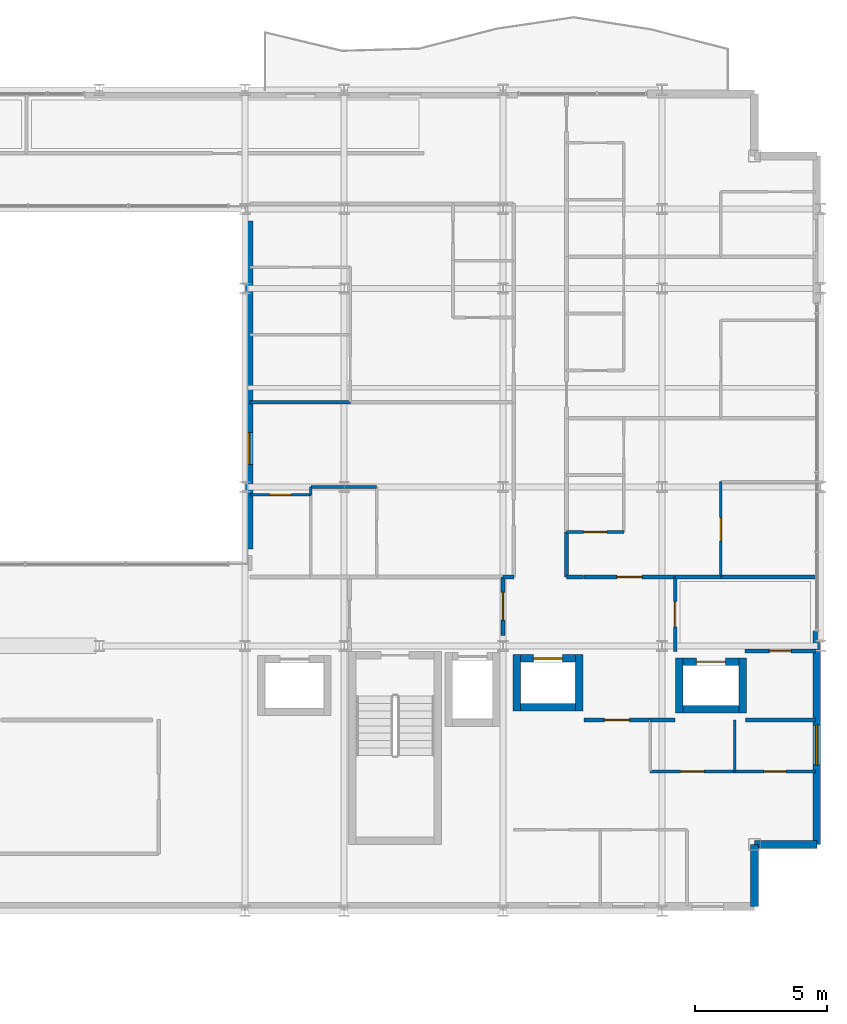
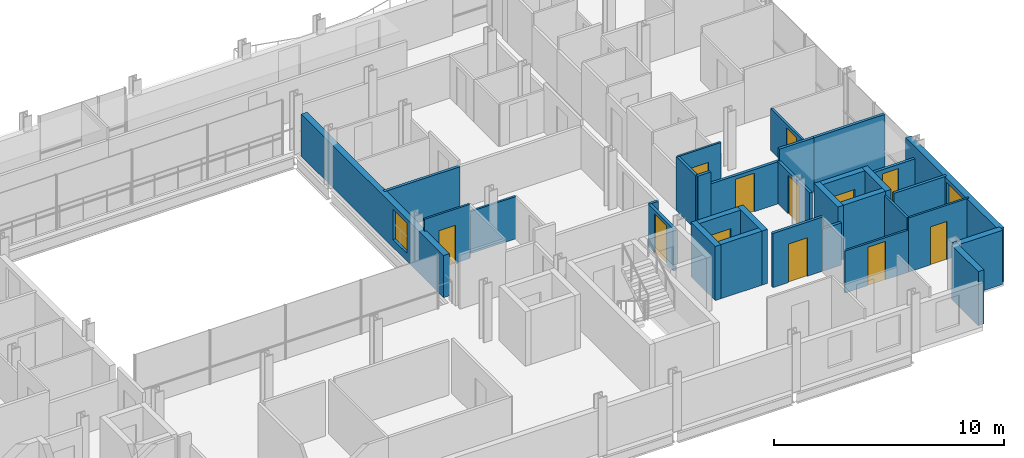
# One storey, part 35 of 41: 33 walls, 12 doors, 2 windows, 14 openings.
"""IFC4 building model written with IfcOpenShell, lengths in metres."""

from ifc_helpers import new_model, si_unit, direction, frame, frame_2d, origin, place, context, subcontext, project, spatial, rectangle, extrude, material, layer, layer_set, type_object, element, fill, save


model = new_model("IFC4")

# Units and contexts
model_context = context("Model", 3, precision=1e-05, world=origin(), true_north=direction((0.0, 1.0)))
body_context = subcontext(model_context, "Body", "Model", "MODEL_VIEW")
ifc_project = project(units=[si_unit("LENGTHUNIT", "METRE"), si_unit("AREAUNIT", "SQUARE_METRE"), si_unit("VOLUMEUNIT", "CUBIC_METRE"), si_unit("PLANEANGLEUNIT", "RADIAN"), si_unit("MASSUNIT", "GRAM", prefix="KILO")], contexts=[model_context])

# Site, building, storey
site_placement = place(None, origin())
site = spatial("IfcSite", under=ifc_project, at=site_placement, CompositionType="ELEMENT")
building_placement = place(site_placement, origin())
building = spatial("IfcBuilding", under=site, at=building_placement, Name="Brevholm Reach", CompositionType="ELEMENT")
storey_placement = place(building_placement, frame((0.0, 0.0, 106.60009765625)))
storey = spatial("IfcBuildingStorey", under=building, at=storey_placement, Name="L31", CompositionType="ELEMENT", Elevation=106.60009765625)

# Walls
ifc_material_1 = material(Name="Concrete C50/60", Category="concrete")
ifc_layer_1 = layer(ifc_material_1, 0.280029296875)
ifc_layer_set_1 = layer_set([ifc_layer_1], Name="Concrete C50/60")
wall_type_1 = type_object("IfcWallType", Name="WAL-COR-280", PredefinedType="SHEAR", material=ifc_layer_set_1)
for number, where, z_axis, x_axis, name in (
    (1, (48.52490234375, 7.534912109375, 0.0), (0.0, 0.0, 1.0), (0.0, 1.0, 0.0), "L31 Lift PL-L1 Shaft Wall W"),
    (2, (50.875, 7.534912109375, 0.0), (0.0, 0.0, 1.0), (0.0, 1.0, 0.0), "L31 Lift PL-L1 Shaft Wall E"),
):
    element("IfcWall", number, at=place(storey_placement, frame(where, z_axis=z_axis, x_axis=x_axis)), inside=storey, type_object=wall_type_1, Name=name, PredefinedType="SHEAR", context=body_context, shape_type="SweptSolid", body=[
        extrude(rectangle(XDim=2.130126953125, YDim=0.280029296875, at=frame_2d((1.06494140625, 0.0))), origin(), (0.0, 0.0, 1.0), 2.8798828125),
    ])
wall_1_placement = place(storey_placement, frame((48.6650390625, 7.675048828125, 0.0), z_axis=(0.0, 0.0, 1.0), x_axis=(1.0, 0.0, 0.0)))
element("IfcWall", 3, at=wall_1_placement, inside=storey, type_object=wall_type_1, Name="L31 Lift PL-L1 Shaft Wall S", PredefinedType="SHEAR", context=body_context, shape_type="SweptSolid", body=[
    extrude(rectangle(XDim=2.070068359375, YDim=0.280029296875, at=frame_2d((1.03515625, 0.0))), origin(), (0.0, 0.0, 1.0), 2.8798828125),
])

# Wall, opening, door
wall_2_placement = place(storey_placement, frame((48.6650390625, 9.52490234375, 0.0), z_axis=(0.0, 0.0, 1.0), x_axis=(1.0, 0.0, 0.0)))
wall_2 = element("IfcWall", 4, at=wall_2_placement, inside=storey, type_object=wall_type_1, Name="L31 Lift PL-L1 Shaft Wall N", PredefinedType="SHEAR", context=body_context, shape_type="SweptSolid", body=[
    extrude(rectangle(XDim=2.070068359375, YDim=0.280029296875, at=frame_2d((1.03515625, 0.0))), origin(), (0.0, 0.0, 1.0), 2.8798828125),
])
opening_1_placement = place(wall_2_placement, frame((0.485107421875, 0.0, 0.0)))
opening_1 = element("IfcOpeningElement", 5, at=opening_1_placement, cuts=wall_2, Name="Opening LD-PL-L1", PredefinedType="OPENING", context=body_context, shape_type="SweptSolid", body=[
    extrude(rectangle(XDim=1.10009765625, YDim=2.06005859375, at=frame_2d((0.550048828125, 1.030029296875))), frame((0.0, 0.14990234375, 0.0), z_axis=(0.0, -1.0, 0.0), x_axis=(1.0, 0.0, 0.0)), (0.0, 0.0, 1.0), 0.300048828125),
])
ifc_material_2 = material(Name="Brushed Stainless Steel Fire-Rated Sliding Lift Door", Category="steel")
door_type_1 = type_object("IfcDoorType", Name="DOR-LFT-1100", OperationType="NOTDEFINED", PredefinedType="DOOR", material=ifc_material_2)
door_1_placement = place(opening_1_placement, origin())
door_1 = element("IfcDoor", 6, at=door_1_placement, inside=storey, type_object=door_type_1, Name="L31 Lift PL-L1 Sliding Landing Door", OperationType="SLIDING_TO_LEFT", OverallHeight=2.06005859375, OverallWidth=1.10009765625, PredefinedType="DOOR", context=body_context, shape_type="SweptSolid", body=[
    extrude(rectangle(XDim=1.10009765625, YDim=2.06005859375, at=frame_2d((0.550048828125, 1.030029296875))), frame((0.0, 0.02490234375, 0.0), z_axis=(0.0, -1.0, 0.0), x_axis=(1.0, 0.0, 0.0)), (0.0, 0.0, 1.0), 0.050048828125),
])
fill(opening_1, door_1)

# Walls
for number, where, z_axis, x_axis, name in (
    (7, (54.64990234375, 7.4599609375, 0.0), (0.0, 0.0, 1.0), (0.0, 1.0, 0.0), "L31 Lift PL-L2 Shaft Wall W"),
    (8, (57.050048828125, 7.4599609375, 0.0), (0.0, 0.0, 1.0), (0.0, 1.0, 0.0), "L31 Lift PL-L2 Shaft Wall E"),
):
    element("IfcWall", number, at=place(storey_placement, frame(where, z_axis=z_axis, x_axis=x_axis)), inside=storey, type_object=wall_type_1, Name=name, PredefinedType="SHEAR", context=body_context, shape_type="SweptSolid", body=[
        extrude(rectangle(XDim=2.080078125, YDim=0.280029296875, at=frame_2d((1.0400390625, 0.0))), origin(), (0.0, 0.0, 1.0), 2.8798828125),
    ])
wall_3_placement = place(storey_placement, frame((54.7900390625, 7.60009765625, 0.0), z_axis=(0.0, 0.0, 1.0), x_axis=(1.0, 0.0, 0.0)))
element("IfcWall", 9, at=wall_3_placement, inside=storey, type_object=wall_type_1, Name="L31 Lift PL-L2 Shaft Wall S", PredefinedType="SHEAR", context=body_context, shape_type="SweptSolid", body=[
    extrude(rectangle(XDim=2.119873046875, YDim=0.280029296875, at=frame_2d((1.06005859375, 0.0))), origin(), (0.0, 0.0, 1.0), 2.8798828125),
])

# Wall, opening, door
wall_4_placement = place(storey_placement, frame((54.7900390625, 9.39990234375, 0.0), z_axis=(0.0, 0.0, 1.0), x_axis=(1.0, 0.0, 0.0)))
wall_4 = element("IfcWall", 10, at=wall_4_placement, inside=storey, type_object=wall_type_1, Name="L31 Lift PL-L2 Shaft Wall N", PredefinedType="SHEAR", context=body_context, shape_type="SweptSolid", body=[
    extrude(rectangle(XDim=2.119873046875, YDim=0.280029296875, at=frame_2d((1.06005859375, 0.0))), origin(), (0.0, 0.0, 1.0), 2.8798828125),
])
opening_2_placement = place(wall_4_placement, frame((0.510009765625, 0.0, 0.0)))
opening_2 = element("IfcOpeningElement", 11, at=opening_2_placement, cuts=wall_4, Name="Opening LD-PL-L2", PredefinedType="OPENING", context=body_context, shape_type="SweptSolid", body=[
    extrude(rectangle(XDim=1.10009765625, YDim=2.06005859375, at=frame_2d((0.550048828125, 1.030029296875))), frame((0.0, 0.14990234375, 0.0), z_axis=(0.0, -1.0, 0.0), x_axis=(1.0, 0.0, 0.0)), (0.0, 0.0, 1.0), 0.300048828125),
])
door_2_placement = place(opening_2_placement, origin())
door_2 = element("IfcDoor", 12, at=door_2_placement, inside=storey, type_object=door_type_1, Name="L31 Lift PL-L2 Sliding Landing Door", OperationType="SLIDING_TO_RIGHT", OverallHeight=2.06005859375, OverallWidth=1.10009765625, PredefinedType="DOOR", context=body_context, shape_type="SweptSolid", body=[
    extrude(rectangle(XDim=1.10009765625, YDim=2.06005859375, at=frame_2d((0.550048828125, 1.030029296875))), frame((0.0, 0.02490234375, 0.0), z_axis=(0.0, -1.0, 0.0), x_axis=(1.0, 0.0, 0.0)), (0.0, 0.0, 1.0), 0.050048828125),
])
fill(opening_2, door_2)

# Walls
ifc_material_3 = material(Name="Concrete C40/50", Category="concrete")
ifc_layer_2 = layer(ifc_material_3, 0.300048828125)
ifc_layer_set_2 = layer_set([ifc_layer_2], Name="Concrete C40/50")
wall_type_2 = type_object("IfcWallType", Name="WAL-EXT-300", PredefinedType="STANDARD", material=ifc_layer_set_2)
for number, where, z_axis, x_axis, name in (
    (13, (57.5, 0.14990234375, 0.0), (0.0, 0.0, 1.0), (0.0, 1.0, 0.0), "L31 Facade Wall WAL-L31-CSE1"),
    (14, (57.5, 2.5, 0.0), (0.0, 0.0, 1.0), (1.0, 0.0, 0.0), "L31 Facade Wall WAL-L31-CSE2"),
):
    element("IfcWall", number, at=place(storey_placement, frame(where, z_axis=z_axis, x_axis=x_axis)), inside=storey, type_object=wall_type_2, Name=name, PredefinedType="STANDARD", context=body_context, shape_type="SweptSolid", body=[
        extrude(rectangle(XDim=2.35009765625, YDim=0.300048828125, at=frame_2d((1.175048828125, 0.0))), origin(), (0.0, 0.0, 1.0), 2.8798828125),
    ])

# Wall, opening, window
wall_5_placement = place(storey_placement, frame((59.85009765625, 2.5, 0.0), z_axis=(0.0, 0.0, 1.0), x_axis=(0.0, 1.0, 0.0)))
wall_5 = element("IfcWall", 15, at=wall_5_placement, inside=storey, type_object=wall_type_2, Name="L31 Facade Wall WAL-L31-E-S", PredefinedType="STANDARD", context=body_context, shape_type="SweptSolid", body=[
    extrude(rectangle(XDim=8.050048828125, YDim=0.300048828125, at=frame_2d((4.02490234375, 0.0))), origin(), (0.0, 0.0, 1.0), 2.8798828125),
])
opening_3_placement = place(wall_5_placement, frame((3.0, 0.0, 0.860107421875)))
opening_3 = element("IfcOpeningElement", 16, at=opening_3_placement, cuts=wall_5, Name="Opening WN-05", PredefinedType="OPENING", context=body_context, shape_type="SweptSolid", body=[
    extrude(rectangle(XDim=1.5, YDim=1.800048828125, at=frame_2d((0.75, 0.89990234375))), frame((0.0, 0.159912109375, 0.0), z_axis=(0.0, -1.0, 0.0), x_axis=(1.0, 0.0, 0.0)), (0.0, 0.0, 1.0), 0.320068359375),
])
ifc_material_4 = material(Name="Dark Anodised Aluminium and Solar-Control IGU Glass", Category="aluminium")
window_type_1 = type_object("IfcWindowType", Name="WIN-RES-1500", PartitioningType="SINGLE_PANEL", PredefinedType="WINDOW", material=ifc_material_4)
window_1_placement = place(opening_3_placement, origin())
window_1 = element("IfcWindow", 17, at=window_1_placement, inside=storey, type_object=window_type_1, Name="L31 Window WIN-L31-ES-1", OverallHeight=1.800048828125, OverallWidth=1.5, PartitioningType="SINGLE_PANEL", PredefinedType="WINDOW", context=body_context, shape_type="SweptSolid", body=[
    extrude(rectangle(XDim=1.5, YDim=1.800048828125, at=frame_2d((0.75, 0.89990234375))), frame((0.0, 0.030029296875, 0.0), z_axis=(0.0, -1.0, 0.0), x_axis=(1.0, 0.0, 0.0)), (0.0, 0.0, 1.0), 0.06005859375),
])
fill(opening_3, window_1)

wall_6_placement = place(storey_placement, frame((38.39990234375, 13.64990234375, 0.0), z_axis=(0.0, 0.0, 1.0), x_axis=(0.0, 1.0, 0.0)))
wall_6 = element("IfcWall", 18, at=wall_6_placement, inside=storey, type_object=wall_type_2, Name="L31 Facade Wall WAL-L31-AT-E", PredefinedType="STANDARD", context=body_context, shape_type="SweptSolid", body=[
    extrude(rectangle(XDim=12.400146484375, YDim=0.300048828125, at=frame_2d((6.2001953125, 0.0))), origin(), (0.0, 0.0, 1.0), 2.24267578125),
])
opening_4_placement = place(wall_6_placement, frame((3.199951171875, 0.0, 0.423095703125)))
opening_4 = element("IfcOpeningElement", 19, at=opening_4_placement, cuts=wall_6, Name="Opening WN-08", PredefinedType="OPENING", context=body_context, shape_type="SweptSolid", body=[
    extrude(rectangle(XDim=1.199951171875, YDim=1.60009765625, at=frame_2d((0.60009765625, 0.800048828125))), frame((0.0, 0.159912109375, 0.0), z_axis=(0.0, -1.0, 0.0), x_axis=(1.0, 0.0, 0.0)), (0.0, 0.0, 1.0), 0.320068359375),
])
ifc_material_5 = material(Name="Dark Anodised Aluminium and Solar-Control IGU Glass", Category="aluminium")
window_type_2 = type_object("IfcWindowType", Name="WIN-RES-1200", PartitioningType="SINGLE_PANEL", PredefinedType="WINDOW", material=ifc_material_5)
window_2_placement = place(opening_4_placement, origin())
window_2 = element("IfcWindow", 20, at=window_2_placement, inside=storey, type_object=window_type_2, Name="L31 Window WIN-L31-AT-E1", OverallHeight=1.60009765625, OverallWidth=1.199951171875, PartitioningType="SINGLE_PANEL", PredefinedType="WINDOW", context=body_context, shape_type="SweptSolid", body=[
    extrude(rectangle(XDim=1.199951171875, YDim=1.60009765625, at=frame_2d((0.60009765625, 0.800048828125))), frame((0.0, 0.030029296875, 0.0), z_axis=(0.0, -1.0, 0.0), x_axis=(1.0, 0.0, 0.0)), (0.0, 0.0, 1.0), 0.06005859375),
])
fill(opening_4, window_2)

# Wall
ifc_material_6 = material(Name="Moisture-Resistant Acoustic Gypsum Stud Partition 100 mm", Category="gypsum")
ifc_layer_3 = layer(ifc_material_6, 0.10009765625)
ifc_layer_set_3 = layer_set([ifc_layer_3], Name="Moisture-Resistant Acoustic Gypsum Stud Partition 100 mm")
wall_type_3 = type_object("IfcWallType", Name="WAL-PRT-100", PredefinedType="PARTITIONING", material=ifc_layer_set_3)
wall_7_placement = place(storey_placement, frame((56.75, 5.25, 0.0), z_axis=(0.0, 0.0, 1.0), x_axis=(0.0, 1.0, 0.0)))
element("IfcWall", 21, at=wall_7_placement, inside=storey, type_object=wall_type_3, Name="L31 Internal Partition 083", PredefinedType="PARTITIONING", context=body_context, shape_type="SweptSolid", body=[
    extrude(rectangle(XDim=1.949951171875, YDim=0.10009765625, at=frame_2d((0.97509765625, 0.0))), origin(), (0.0, 0.0, 1.0), 2.8798828125),
])

# Wall, opening, door
wall_8_placement = place(storey_placement, frame((56.75, 5.25, 0.0), z_axis=(0.0, 0.0, 1.0), x_axis=(1.0, 0.0, 0.0)))
wall_8 = element("IfcWall", 22, at=wall_8_placement, inside=storey, type_object=wall_type_3, Name="L31 Internal Partition 084", PredefinedType="PARTITIONING", context=body_context, shape_type="SweptSolid", body=[
    extrude(rectangle(XDim=3.050048828125, YDim=0.10009765625, at=frame_2d((1.52490234375, 0.0))), origin(), (0.0, 0.0, 1.0), 2.8798828125),
])
opening_5_placement = place(wall_8_placement, frame((1.114990234375, 0.0, 0.0)))
opening_5 = element("IfcOpeningElement", 23, at=opening_5_placement, cuts=wall_8, Name="Opening ID-03", PredefinedType="OPENING", context=body_context, shape_type="SweptSolid", body=[
    extrude(rectangle(XDim=0.820068359375, YDim=2.02001953125, at=frame_2d((0.41015625, 1.010009765625))), frame((0.0, 0.06005859375, 0.0), z_axis=(0.0, -1.0, 0.0), x_axis=(1.0, 0.0, 0.0)), (0.0, 0.0, 1.0), 0.1201171875),
])
ifc_material_7 = material(Name="Moisture-Resistant Painted Timber Internal Bathroom Door", Category="wood")
door_type_2 = type_object("IfcDoorType", Name="DOR-BATH-820", OperationType="NOTDEFINED", PredefinedType="DOOR", material=ifc_material_7)
door_3_placement = place(opening_5_placement, origin())
door_3 = element("IfcDoor", 24, at=door_3_placement, inside=storey, type_object=door_type_2, Name="L31 Internal Door 031", OperationType="SINGLE_SWING_RIGHT", OverallHeight=2.02001953125, OverallWidth=0.820068359375, PredefinedType="DOOR", context=body_context, shape_type="SweptSolid", body=[
    extrude(rectangle(XDim=0.820068359375, YDim=2.02001953125, at=frame_2d((0.41015625, 1.010009765625))), frame((0.0, 0.02490234375, 0.0), z_axis=(0.0, -1.0, 0.0), x_axis=(1.0, 0.0, 0.0)), (0.0, 0.0, 1.0), 0.050048828125),
])
fill(opening_5, door_3)

wall_9_placement = place(storey_placement, frame((53.55810546875, 5.25, 0.0), z_axis=(0.0, 0.0, 1.0), x_axis=(1.0, 0.0, 0.0)))
wall_9 = element("IfcWall", 25, at=wall_9_placement, inside=storey, type_object=wall_type_3, Name="L31 Internal Partition 085", PredefinedType="PARTITIONING", context=body_context, shape_type="SweptSolid", body=[
    extrude(rectangle(XDim=3.18798828125, YDim=0.10009765625, at=frame_2d((1.593994140625, 0.0))), origin(), (0.0, 0.0, 1.0), 2.24267578125),
])
opening_6_placement = place(wall_9_placement, frame((1.154052734375, 0.0, 0.0)))
opening_6 = element("IfcOpeningElement", 26, at=opening_6_placement, cuts=wall_9, Name="Opening ID-01", PredefinedType="OPENING", context=body_context, shape_type="SweptSolid", body=[
    extrude(rectangle(XDim=0.8798828125, YDim=2.0400390625, at=frame_2d((0.43994140625, 1.02001953125))), frame((0.0, 0.06005859375, 0.0), z_axis=(0.0, -1.0, 0.0), x_axis=(1.0, 0.0, 0.0)), (0.0, 0.0, 1.0), 0.1201171875),
])
ifc_material_8 = material(Name="Lacquered Ash Solid-Core Acoustic Internal Door", Category="timber")
door_type_3 = type_object("IfcDoorType", Name="DOR-INT-880", OperationType="NOTDEFINED", PredefinedType="DOOR", material=ifc_material_8)
door_4_placement = place(opening_6_placement, origin())
door_4 = element("IfcDoor", 27, at=door_4_placement, inside=storey, type_object=door_type_3, Name="L31 Internal Door 032", OperationType="SINGLE_SWING_LEFT", OverallHeight=2.0400390625, OverallWidth=0.8798828125, PredefinedType="DOOR", context=body_context, shape_type="SweptSolid", body=[
    extrude(rectangle(XDim=0.8798828125, YDim=2.0400390625, at=frame_2d((0.43994140625, 1.02001953125))), frame((0.0, 0.02490234375, 0.0), z_axis=(0.0, -1.0, 0.0), x_axis=(1.0, 0.0, 0.0)), (0.0, 0.0, 1.0), 0.050048828125),
])
fill(opening_6, door_4)

wall_10_placement = place(storey_placement, frame((38.449951171875, 15.699951171875, 0.0), z_axis=(0.0, 0.0, 1.0), x_axis=(1.0, 0.0, 0.0)))
wall_10 = element("IfcWall", 28, at=wall_10_placement, inside=storey, type_object=wall_type_3, Name="L31 Internal Partition 130", PredefinedType="PARTITIONING", context=body_context, shape_type="SweptSolid", body=[
    extrude(rectangle(XDim=2.2880859375, YDim=0.10009765625, at=frame_2d((1.14404296875, 0.0))), origin(), (0.0, 0.0, 1.0), 2.8798828125),
])
opening_7_placement = place(wall_10_placement, frame((0.73388671875, 0.0, 0.0)))
opening_7 = element("IfcOpeningElement", 29, at=opening_7_placement, cuts=wall_10, Name="Opening ID-03", PredefinedType="OPENING", context=body_context, shape_type="SweptSolid", body=[
    extrude(rectangle(XDim=0.820068359375, YDim=2.02001953125, at=frame_2d((0.41015625, 1.010009765625))), frame((0.0, 0.06005859375, 0.0), z_axis=(0.0, -1.0, 0.0), x_axis=(1.0, 0.0, 0.0)), (0.0, 0.0, 1.0), 0.1201171875),
])
door_5_placement = place(opening_7_placement, origin())
door_5 = element("IfcDoor", 30, at=door_5_placement, inside=storey, type_object=door_type_2, Name="L31 Internal Door 050", OperationType="SINGLE_SWING_LEFT", OverallHeight=2.02001953125, OverallWidth=0.820068359375, PredefinedType="DOOR", context=body_context, shape_type="SweptSolid", body=[
    extrude(rectangle(XDim=0.820068359375, YDim=2.02001953125, at=frame_2d((0.41015625, 1.010009765625))), frame((0.0, 0.02490234375, 0.0), z_axis=(0.0, -1.0, 0.0), x_axis=(1.0, 0.0, 0.0)), (0.0, 0.0, 1.0), 0.050048828125),
])
fill(opening_7, door_5)

# Walls
wall_11_placement = place(storey_placement, frame((40.738037109375, 16.0, 0.0), z_axis=(0.0, 0.0, 1.0), x_axis=(1.0, 0.0, 0.0)))
element("IfcWall", 31, at=wall_11_placement, inside=storey, type_object=wall_type_3, Name="L31 Internal Partition 132", PredefinedType="PARTITIONING", context=body_context, shape_type="SweptSolid", body=[
    extrude(rectangle(XDim=2.487060546875, YDim=0.10009765625, at=frame_2d((1.24365234375, 0.0))), origin(), (0.0, 0.0, 1.0), 2.24267578125),
])
wall_12_placement = place(storey_placement, frame((40.738037109375, 15.7041015625, 0.0), z_axis=(0.0, 0.0, 1.0), x_axis=(0.0, 1.0, 0.0)))
element("IfcWall", 32, at=wall_12_placement, inside=storey, type_object=wall_type_3, Name="L31 Internal Partition 133", PredefinedType="PARTITIONING", context=body_context, shape_type="SweptSolid", body=[
    extrude(rectangle(XDim=0.2958984375, YDim=0.10009765625, at=frame_2d((0.14794921875, 0.0))), origin(), (0.0, 0.0, 1.0), 2.24267578125),
])

# Wall, opening, door
wall_13_placement = place(storey_placement, frame((50.404052734375, 14.300048828125, 0.0), z_axis=(0.0, 0.0, 1.0), x_axis=(1.0, 0.0, 0.0)))
wall_13 = element("IfcWall", 33, at=wall_13_placement, inside=storey, type_object=wall_type_3, Name="L31 Internal Partition 147", PredefinedType="PARTITIONING", context=body_context, shape_type="SweptSolid", body=[
    extrude(rectangle(XDim=2.157958984375, YDim=0.10009765625, at=frame_2d((1.0791015625, 0.0))), origin(), (0.0, 0.0, 1.0), 2.8798828125),
])
opening_8_placement = place(wall_13_placement, frame((0.638916015625, 0.0, 0.0)))
opening_8 = element("IfcOpeningElement", 34, at=opening_8_placement, cuts=wall_13, Name="Opening ID-01", PredefinedType="OPENING", context=body_context, shape_type="SweptSolid", body=[
    extrude(rectangle(XDim=0.8798828125, YDim=2.0400390625, at=frame_2d((0.43994140625, 1.02001953125))), frame((0.0, 0.06005859375, 0.0), z_axis=(0.0, -1.0, 0.0), x_axis=(1.0, 0.0, 0.0)), (0.0, 0.0, 1.0), 0.1201171875),
])
door_6_placement = place(opening_8_placement, origin())
door_6 = element("IfcDoor", 35, at=door_6_placement, inside=storey, type_object=door_type_3, Name="L31 Internal Door 057", OperationType="SINGLE_SWING_RIGHT", OverallHeight=2.0400390625, OverallWidth=0.8798828125, PredefinedType="DOOR", context=body_context, shape_type="SweptSolid", body=[
    extrude(rectangle(XDim=0.8798828125, YDim=2.0400390625, at=frame_2d((0.43994140625, 1.02001953125))), frame((0.0, 0.02490234375, 0.0), z_axis=(0.0, -1.0, 0.0), x_axis=(1.0, 0.0, 0.0)), (0.0, 0.0, 1.0), 0.050048828125),
])
fill(opening_8, door_6)

wall_14_placement = place(storey_placement, frame((56.22802734375, 12.60400390625, 0.0), z_axis=(0.0, 0.0, 1.0), x_axis=(0.0, 1.0, 0.0)))
wall_14 = element("IfcWall", 36, at=wall_14_placement, inside=storey, type_object=wall_type_3, Name="L31 Internal Partition 150", PredefinedType="PARTITIONING", context=body_context, shape_type="SweptSolid", body=[
    extrude(rectangle(XDim=3.595947265625, YDim=0.10009765625, at=frame_2d((1.7978515625, 0.0))), origin(), (0.0, 0.0, 1.0), 2.24267578125),
])
opening_9_placement = place(wall_14_placement, frame((1.35791015625, 0.0, 0.0)))
opening_9 = element("IfcOpeningElement", 37, at=opening_9_placement, cuts=wall_14, Name="Opening ID-01", PredefinedType="OPENING", context=body_context, shape_type="SweptSolid", body=[
    extrude(rectangle(XDim=0.8798828125, YDim=2.0400390625, at=frame_2d((0.43994140625, 1.02001953125))), frame((0.0, 0.06005859375, 0.0), z_axis=(0.0, -1.0, 0.0), x_axis=(1.0, 0.0, 0.0)), (0.0, 0.0, 1.0), 0.1201171875),
])
door_7_placement = place(opening_9_placement, origin())
door_7 = element("IfcDoor", 38, at=door_7_placement, inside=storey, type_object=door_type_3, Name="L31 Internal Door 058", OperationType="SINGLE_SWING_LEFT", OverallHeight=2.0400390625, OverallWidth=0.8798828125, PredefinedType="DOOR", context=body_context, shape_type="SweptSolid", body=[
    extrude(rectangle(XDim=0.8798828125, YDim=2.0400390625, at=frame_2d((0.43994140625, 1.02001953125))), frame((0.0, 0.02490234375, 0.0), z_axis=(0.0, -1.0, 0.0), x_axis=(1.0, 0.0, 0.0)), (0.0, 0.0, 1.0), 0.050048828125),
])
fill(opening_9, door_7)

ifc_material_9 = material(Name="Twin-Stud Acoustic Fire-Rated Gypsum Partition 140 mm", Category="gypsum")
ifc_layer_4 = layer(ifc_material_9, 0.139892578125)
ifc_layer_set_4 = layer_set([ifc_layer_4], Name="Twin-Stud Acoustic Fire-Rated Gypsum Partition 140 mm")
wall_type_4 = type_object("IfcWallType", Name="WAL-PRT-140", PredefinedType="PARTITIONING", material=ifc_layer_set_4)
wall_15_placement = place(storey_placement, frame((54.5, 9.788818359375, 0.0), z_axis=(0.0, 0.0, 1.0), x_axis=(0.0, 1.0, 0.0)))
wall_15 = element("IfcWall", 39, at=wall_15_placement, inside=storey, type_object=wall_type_4, Name="L31 Internal Partition 013", PredefinedType="PARTITIONING", context=body_context, shape_type="SweptSolid", body=[
    extrude(rectangle(XDim=2.811279296875, YDim=0.139892578125, at=frame_2d((1.40576171875, 0.0))), origin(), (0.0, 0.0, 1.0), 2.24267578125),
])
opening_10_placement = place(wall_15_placement, frame((0.9306640625, 0.0, 0.0)))
opening_10 = element("IfcOpeningElement", 40, at=opening_10_placement, cuts=wall_15, Name="Opening ID-30", PredefinedType="OPENING", context=body_context, shape_type="SweptSolid", body=[
    extrude(rectangle(XDim=0.949951171875, YDim=2.050048828125, at=frame_2d((0.47509765625, 1.02490234375))), frame((0.0, 0.079833984375, 0.0), z_axis=(0.0, -1.0, 0.0), x_axis=(1.0, 0.0, 0.0)), (0.0, 0.0, 1.0), 0.159912109375),
])
ifc_material_10 = material(Name="European Oak Veneered Solid-Core Fire Entrance Door", Category="timber")
door_type_4 = type_object("IfcDoorType", Name="DOR-FLT-FD30S", OperationType="NOTDEFINED", PredefinedType="DOOR", material=ifc_material_10)
door_8_placement = place(opening_10_placement, origin())
door_8 = element("IfcDoor", 41, at=door_8_placement, inside=storey, type_object=door_type_4, Name="L31 Internal Door 008", OperationType="SINGLE_SWING_LEFT", OverallHeight=2.050048828125, OverallWidth=0.949951171875, PredefinedType="DOOR", context=body_context, shape_type="SweptSolid", body=[
    extrude(rectangle(XDim=0.949951171875, YDim=2.050048828125, at=frame_2d((0.47509765625, 1.02490234375))), frame((0.0, 0.02490234375, 0.0), z_axis=(0.0, -1.0, 0.0), x_axis=(1.0, 0.0, 0.0)), (0.0, 0.0, 1.0), 0.050048828125),
])
fill(opening_10, door_8)

# Wall
wall_16_placement = place(storey_placement, frame((53.546630859375, 7.199951171875, 0.0), z_axis=(0.0, 0.0, 1.0), x_axis=(1.0, 0.0, 0.0)))
element("IfcWall", 42, at=wall_16_placement, inside=storey, type_object=wall_type_4, Name="L31 Internal Partition 014", PredefinedType="PARTITIONING", context=body_context, shape_type="SweptSolid", body=[
    extrude(rectangle(XDim=0.953369140625, YDim=0.139892578125, at=frame_2d((0.4765625, 0.0))), origin(), (0.0, 0.0, 1.0), 2.24267578125),
])

# Wall, opening, door
wall_17_placement = place(storey_placement, frame((51.050048828125, 7.199951171875, 0.0), z_axis=(0.0, 0.0, 1.0), x_axis=(1.0, 0.0, 0.0)))
wall_17 = element("IfcWall", 43, at=wall_17_placement, inside=storey, type_object=wall_type_4, Name="L31 Internal Partition 015", PredefinedType="PARTITIONING", context=body_context, shape_type="SweptSolid", body=[
    extrude(rectangle(XDim=2.51513671875, YDim=0.139892578125, at=frame_2d((1.257568359375, 0.0))), origin(), (0.0, 0.0, 1.0), 2.8798828125),
])
opening_11_placement = place(wall_17_placement, frame((0.78271484375, 0.0, 0.0)))
opening_11 = element("IfcOpeningElement", 44, at=opening_11_placement, cuts=wall_17, Name="Opening ID-30", PredefinedType="OPENING", context=body_context, shape_type="SweptSolid", body=[
    extrude(rectangle(XDim=0.949951171875, YDim=2.050048828125, at=frame_2d((0.47509765625, 1.02490234375))), frame((0.0, 0.079833984375, 0.0), z_axis=(0.0, -1.0, 0.0), x_axis=(1.0, 0.0, 0.0)), (0.0, 0.0, 1.0), 0.159912109375),
])
door_9_placement = place(opening_11_placement, origin())
door_9 = element("IfcDoor", 45, at=door_9_placement, inside=storey, type_object=door_type_4, Name="L31 Internal Door 009", OperationType="SINGLE_SWING_RIGHT", OverallHeight=2.050048828125, OverallWidth=0.949951171875, PredefinedType="DOOR", context=body_context, shape_type="SweptSolid", body=[
    extrude(rectangle(XDim=0.949951171875, YDim=2.050048828125, at=frame_2d((0.47509765625, 1.02490234375))), frame((0.0, 0.02490234375, 0.0), z_axis=(0.0, -1.0, 0.0), x_axis=(1.0, 0.0, 0.0)), (0.0, 0.0, 1.0), 0.050048828125),
])
fill(opening_11, door_9)

wall_18_placement = place(storey_placement, frame((51.050048828125, 12.60009765625, 0.0), z_axis=(0.0, 0.0, 1.0), x_axis=(1.0, 0.0, 0.0)))
wall_18 = element("IfcWall", 46, at=wall_18_placement, inside=storey, type_object=wall_type_4, Name="L31 Internal Partition 016", PredefinedType="PARTITIONING", context=body_context, shape_type="SweptSolid", body=[
    extrude(rectangle(XDim=3.449951171875, YDim=0.139892578125, at=frame_2d((1.72509765625, 0.0))), origin(), (0.0, 0.0, 1.0), 2.24267578125),
])
opening_12_placement = place(wall_18_placement, frame((1.25, 0.0, 0.0)))
opening_12 = element("IfcOpeningElement", 47, at=opening_12_placement, cuts=wall_18, Name="Opening ID-30", PredefinedType="OPENING", context=body_context, shape_type="SweptSolid", body=[
    extrude(rectangle(XDim=0.949951171875, YDim=2.050048828125, at=frame_2d((0.47509765625, 1.02490234375))), frame((0.0, 0.079833984375, 0.0), z_axis=(0.0, -1.0, 0.0), x_axis=(1.0, 0.0, 0.0)), (0.0, 0.0, 1.0), 0.159912109375),
])
door_10_placement = place(opening_12_placement, origin())
door_10 = element("IfcDoor", 48, at=door_10_placement, inside=storey, type_object=door_type_4, Name="L31 Internal Door 010", OperationType="SINGLE_SWING_LEFT", OverallHeight=2.050048828125, OverallWidth=0.949951171875, PredefinedType="DOOR", context=body_context, shape_type="SweptSolid", body=[
    extrude(rectangle(XDim=0.949951171875, YDim=2.050048828125, at=frame_2d((0.47509765625, 1.02490234375))), frame((0.0, 0.02490234375, 0.0), z_axis=(0.0, -1.0, 0.0), x_axis=(1.0, 0.0, 0.0)), (0.0, 0.0, 1.0), 0.050048828125),
])
fill(opening_12, door_10)

# Walls
wall_19_placement = place(storey_placement, frame((48.00390625, 12.60009765625, 0.0), z_axis=(0.0, 0.0, 1.0), x_axis=(1.0, 0.0, 0.0)))
element("IfcWall", 49, at=wall_19_placement, inside=storey, type_object=wall_type_4, Name="L31 Internal Partition 033", PredefinedType="PARTITIONING", context=body_context, shape_type="SweptSolid", body=[
    extrude(rectangle(XDim=0.4033203125, YDim=0.139892578125, at=frame_2d((0.20166015625, 0.0))), origin(), (0.0, 0.0, 1.0), 2.24267578125),
])
wall_20_placement = place(storey_placement, frame((50.392578125, 12.60009765625, 0.0), z_axis=(0.0, 0.0, 1.0), x_axis=(1.0, 0.0, 0.0)))
element("IfcWall", 50, at=wall_20_placement, inside=storey, type_object=wall_type_4, Name="L31 Internal Partition 034", PredefinedType="PARTITIONING", context=body_context, shape_type="SweptSolid", body=[
    extrude(rectangle(XDim=0.6533203125, YDim=0.139892578125, at=frame_2d((0.32666015625, 0.0))), origin(), (0.0, 0.0, 1.0), 2.8798828125),
])
wall_21_placement = place(storey_placement, frame((50.39990234375, 12.60400390625, 0.0), z_axis=(0.0, 0.0, 1.0), x_axis=(0.0, 1.0, 0.0)))
element("IfcWall", 51, at=wall_21_placement, inside=storey, type_object=wall_type_4, Name="L31 Internal Partition 054", PredefinedType="PARTITIONING", context=body_context, shape_type="SweptSolid", body=[
    extrude(rectangle(XDim=1.703369140625, YDim=0.139892578125, at=frame_2d((0.8515625, 0.0))), origin(), (0.0, 0.0, 1.0), 2.8798828125),
])

# Wall, opening, door
wall_22_placement = place(storey_placement, frame((57.138671875, 9.800048828125, 0.0), z_axis=(0.0, 0.0, 1.0), x_axis=(1.0, 0.0, 0.0)))
wall_22 = element("IfcWall", 52, at=wall_22_placement, inside=storey, type_object=wall_type_4, Name="L31 Internal Partition 079", PredefinedType="PARTITIONING", context=body_context, shape_type="SweptSolid", body=[
    extrude(rectangle(XDim=2.661376953125, YDim=0.139892578125, at=frame_2d((1.33056640625, 0.0))), origin(), (0.0, 0.0, 1.0), 2.24267578125),
])
opening_13_placement = place(wall_22_placement, frame((0.920654296875, 0.0, 0.0)))
opening_13 = element("IfcOpeningElement", 53, at=opening_13_placement, cuts=wall_22, Name="Opening ID-02", PredefinedType="OPENING", context=body_context, shape_type="SweptSolid", body=[
    extrude(rectangle(XDim=0.820068359375, YDim=2.02001953125, at=frame_2d((0.41015625, 1.010009765625))), frame((0.0, 0.079833984375, 0.0), z_axis=(0.0, -1.0, 0.0), x_axis=(1.0, 0.0, 0.0)), (0.0, 0.0, 1.0), 0.159912109375),
])
ifc_material_11 = material(Name="Moisture-Resistant Painted Timber Fire-Rated Riser and Service Door", Category="wood")
door_type_5 = type_object("IfcDoorType", Name="DOR-SRV-820", OperationType="NOTDEFINED", PredefinedType="DOOR", material=ifc_material_11)
door_11_placement = place(opening_13_placement, origin())
door_11 = element("IfcDoor", 54, at=door_11_placement, inside=storey, type_object=door_type_5, Name="L31 Access Door 065", OperationType="SINGLE_SWING_RIGHT", OverallHeight=2.02001953125, OverallWidth=0.820068359375, PredefinedType="DOOR", context=body_context, shape_type="SweptSolid", body=[
    extrude(rectangle(XDim=0.820068359375, YDim=2.02001953125, at=frame_2d((0.41015625, 1.010009765625))), frame((0.0, 0.02490234375, 0.0), z_axis=(0.0, -1.0, 0.0), x_axis=(1.0, 0.0, 0.0)), (0.0, 0.0, 1.0), 0.050048828125),
])
fill(opening_13, door_11)

# Walls
wall_23_placement = place(storey_placement, frame((56.216796875, 12.60009765625, 0.0), z_axis=(0.0, 0.0, 1.0), x_axis=(1.0, 0.0, 0.0)))
element("IfcWall", 55, at=wall_23_placement, inside=storey, type_object=wall_type_4, Name="L31 Internal Partition 080", PredefinedType="PARTITIONING", context=body_context, shape_type="SweptSolid", body=[
    extrude(rectangle(XDim=3.583251953125, YDim=0.139892578125, at=frame_2d((1.79150390625, 0.0))), origin(), (0.0, 0.0, 1.0), 2.8798828125),
])
wall_24_placement = place(storey_placement, frame((54.50390625, 12.60009765625, 0.0), z_axis=(0.0, 0.0, 1.0), x_axis=(1.0, 0.0, 0.0)))
element("IfcWall", 56, at=wall_24_placement, inside=storey, type_object=wall_type_4, Name="L31 Internal Partition 081", PredefinedType="PARTITIONING", context=body_context, shape_type="SweptSolid", body=[
    extrude(rectangle(XDim=1.7314453125, YDim=0.139892578125, at=frame_2d((0.86572265625, 0.0))), origin(), (0.0, 0.0, 1.0), 2.8798828125),
])
wall_25_placement = place(storey_placement, frame((57.14990234375, 7.199951171875, 0.0), z_axis=(0.0, 0.0, 1.0), x_axis=(1.0, 0.0, 0.0)))
element("IfcWall", 57, at=wall_25_placement, inside=storey, type_object=wall_type_4, Name="L31 Internal Partition 082", PredefinedType="PARTITIONING", context=body_context, shape_type="SweptSolid", body=[
    extrude(rectangle(XDim=2.650146484375, YDim=0.139892578125, at=frame_2d((1.3251953125, 0.0))), origin(), (0.0, 0.0, 1.0), 2.8798828125),
])
wall_26_placement = place(storey_placement, frame((38.449951171875, 19.199951171875, 0.0), z_axis=(0.0, 0.0, 1.0), x_axis=(1.0, 0.0, 0.0)))
element("IfcWall", 58, at=wall_26_placement, inside=storey, type_object=wall_type_4, Name="L31 Internal Partition 134", PredefinedType="PARTITIONING", context=body_context, shape_type="SweptSolid", body=[
    extrude(rectangle(XDim=3.792236328125, YDim=0.139892578125, at=frame_2d((1.89599609375, 0.0))), origin(), (0.0, 0.0, 1.0), 2.24267578125),
])

# Wall, opening, door
ifc_material_12 = material(Name="Twin-Frame Fire-Rated Gypsum Board and Mineral Wool 160 mm", Category="gypsum")
ifc_layer_5 = layer(ifc_material_12, 0.159912109375)
ifc_layer_set_5 = layer_set([ifc_layer_5], Name="Twin-Frame Fire-Rated Gypsum Board and Mineral Wool 160 mm")
wall_type_5 = type_object("IfcWallType", Name="WAL-PRT-160", PredefinedType="PARTITIONING", material=ifc_layer_set_5)
wall_27_placement = place(storey_placement, frame((48.0, 10.388671875, 0.0), z_axis=(0.0, 0.0, 1.0), x_axis=(0.0, 1.0, 0.0)))
wall_27 = element("IfcWall", 59, at=wall_27_placement, inside=storey, type_object=wall_type_5, Name="L31 Internal Partition 024", PredefinedType="PARTITIONING", context=body_context, shape_type="SweptSolid", body=[
    extrude(rectangle(XDim=2.21142578125, YDim=0.159912109375, at=frame_2d((1.105712890625, 0.0))), origin(), (0.0, 0.0, 1.0), 2.24267578125),
])
opening_14_placement = place(wall_27_placement, frame((0.58056640625, 0.0, 0.0)))
opening_14 = element("IfcOpeningElement", 60, at=opening_14_placement, cuts=wall_27, Name="Opening FD-01", PredefinedType="OPENING", context=body_context, shape_type="SweptSolid", body=[
    extrude(rectangle(XDim=1.050048828125, YDim=2.06005859375, at=frame_2d((0.52490234375, 1.030029296875))), frame((0.0, 0.08984375, 0.0), z_axis=(0.0, -1.0, 0.0), x_axis=(1.0, 0.0, 0.0)), (0.0, 0.0, 1.0), 0.179931640625),
])
ifc_material_13 = material(Name="Hardwood-Lipped Steel-Core Fire and Smoke Door", Category="steel")
door_type_6 = type_object("IfcDoorType", Name="DOR-INT-FD60S", OperationType="NOTDEFINED", PredefinedType="DOOR", material=ifc_material_13)
door_12_placement = place(opening_14_placement, origin())
door_12 = element("IfcDoor", 61, at=door_12_placement, inside=storey, type_object=door_type_6, Name="L31 Internal Door 014", OperationType="SINGLE_SWING_LEFT", OverallHeight=2.06005859375, OverallWidth=1.050048828125, PredefinedType="DOOR", context=body_context, shape_type="SweptSolid", body=[
    extrude(rectangle(XDim=1.050048828125, YDim=2.06005859375, at=frame_2d((0.52490234375, 1.030029296875))), frame((0.0, 0.02490234375, 0.0), z_axis=(0.0, -1.0, 0.0), x_axis=(1.0, 0.0, 0.0)), (0.0, 0.0, 1.0), 0.050048828125),
])
fill(opening_14, door_12)

save(model, "model.ifc")
